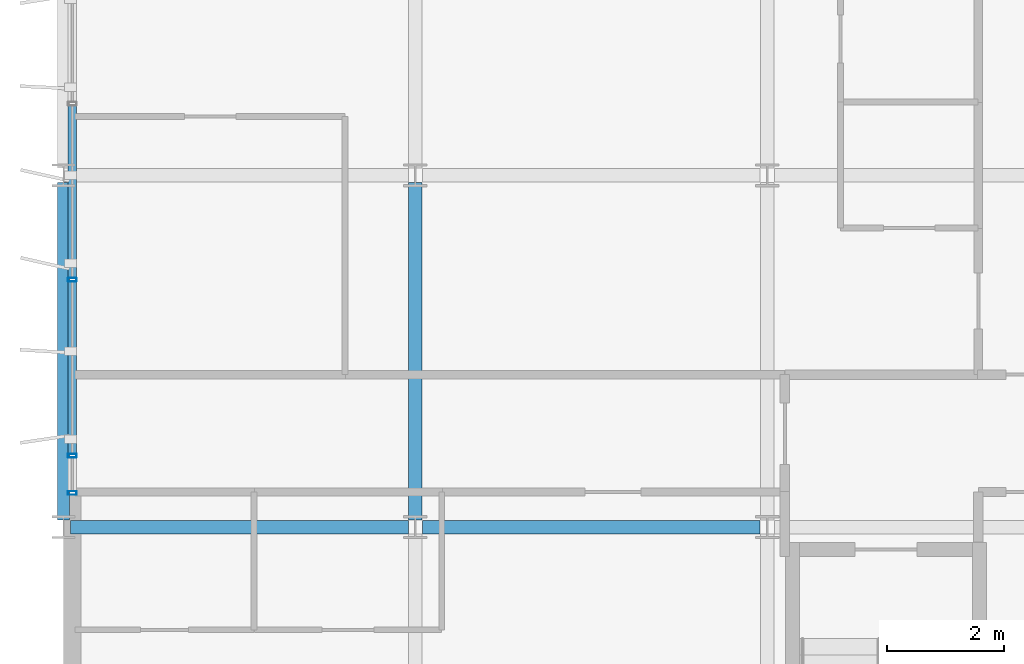
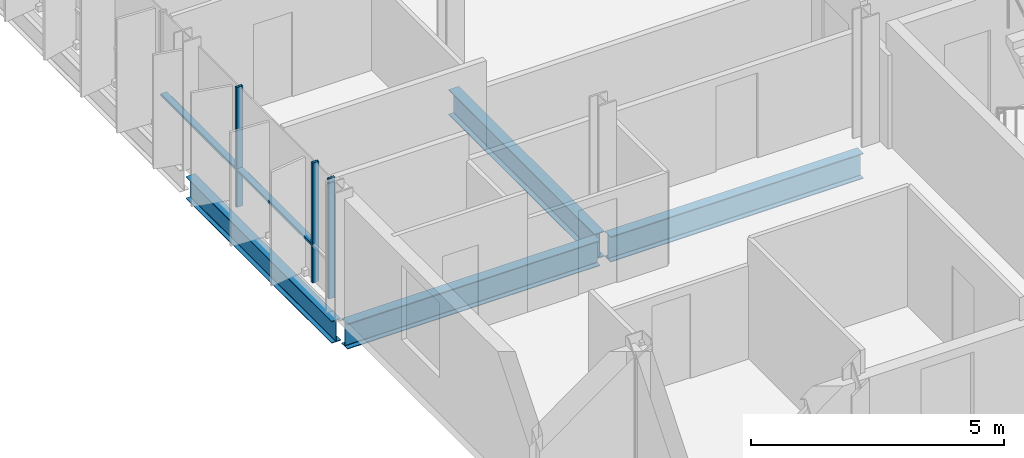
# One storey, part 3 of 38: 5 members, 4 beams, 1 element without a shape of its own.
"""IFC4 building model written with IfcOpenShell, lengths in metres."""

from ifc_helpers import new_model, si_unit, direction, frame, origin, origin_2d, place, context, subcontext, project, spatial, hollow_rectangle, i_section, extrude, material, layer, layer_set, material_profile, profile_set, type_object, element, aggregate, save


model = new_model("IFC4")

# Units and contexts
model_context = context("Model", 3, precision=1e-05, world=origin(), true_north=direction((0.0, 1.0)))
body_context = subcontext(model_context, "Body", "Model", "MODEL_VIEW")
ifc_project = project(units=[si_unit("LENGTHUNIT", "METRE"), si_unit("AREAUNIT", "SQUARE_METRE"), si_unit("VOLUMEUNIT", "CUBIC_METRE"), si_unit("PLANEANGLEUNIT", "RADIAN"), si_unit("MASSUNIT", "GRAM", prefix="KILO")], contexts=[model_context])

# Site, building, storey
site_placement = place(None, origin())
site = spatial("IfcSite", under=ifc_project, at=site_placement, CompositionType="ELEMENT")
building_placement = place(site_placement, origin())
building = spatial("IfcBuilding", under=site, at=building_placement, Name="Brevholm Reach", CompositionType="ELEMENT")
storey_placement = place(building_placement, frame((0.0, 0.0, 172.800048828125)))
storey = spatial("IfcBuildingStorey", under=building, at=storey_placement, Name="L52", CompositionType="ELEMENT", Elevation=172.800048828125)

# Beams
ifc_material_1 = material(Name="Structural Steel S355J2", Category="steel")
ifc_material_profile_1 = material_profile(ifc_material_1, i_section(OverallWidth=0.209228515625, OverallDepth=0.533203125, WebThickness=0.010009765625, FlangeThickness=0.015625, FilletRadius=0.0126953125, at=origin_2d()), Name="UKB 533x210x92")
ifc_profile_set_1 = profile_set([ifc_material_profile_1], Name="Structural Steel S355J2")
beam_type_1 = type_object("IfcBeamType", Name="BM-SP533", PredefinedType="SPANDREL", material=ifc_profile_set_1)
beam_placement = place(storey_placement, frame((0.0, 10.1201171875, -0.4765625), z_axis=(0.0, 1.0, 0.0), x_axis=(-1.0, 0.0, 0.0)))
element("IfcBeam", 1, at=beam_placement, inside=storey, type_object=beam_type_1, Name="L52 SP-02 Framing Beam", PredefinedType="SPANDREL", context=body_context, shape_type="SweptSolid", body=[
    extrude(i_section(OverallWidth=0.209228515625, OverallDepth=0.533203125, WebThickness=0.010009765625, FlangeThickness=0.015625, FilletRadius=0.0126953125, at=origin_2d()), origin(), (0.0, 0.0, 1.0), 5.759765625),
])
ifc_material_2 = material(Name="Structural Steel S355J2", Category="steel")
ifc_material_profile_2 = material_profile(ifc_material_2, i_section(OverallWidth=0.22900390625, OverallDepth=0.6123046875, WebThickness=0.011962890625, FlangeThickness=0.01953125, FilletRadius=0.0126953125, at=origin_2d()), Name="UKB 610x229x125")
ifc_profile_set_2 = profile_set([ifc_material_profile_2], Name="Structural Steel S355J2")
beam_type_2 = type_object("IfcBeamType", Name="BM-SP610", PredefinedType="SPANDREL", material=ifc_profile_set_2)
for number, where, z_axis, x_axis, name in (
    (2, (0.1201171875, 10.0, -0.51611328125), (1.0, 0.0, 0.0), (0.0, 1.0, 0.0), "L52 SP-01 Framing Beam"),
    (3, (6.1201171875, 10.0, -0.51611328125), (1.0, 0.0, 0.0), (0.0, 1.0, 0.0), "L52 SP-01 Framing Beam"),
    (4, (6.0, 10.1201171875, -0.51611328125), (0.0, 1.0, 0.0), (-1.0, 0.0, 0.0), "L52 SP-01 Framing Beam"),
):
    element("IfcBeam", number, at=place(storey_placement, frame(where, z_axis=z_axis, x_axis=x_axis)), inside=storey, type_object=beam_type_2, Name=name, PredefinedType="SPANDREL", context=body_context, shape_type="SweptSolid", body=[
        extrude(i_section(OverallWidth=0.22900390625, OverallDepth=0.6123046875, WebThickness=0.011962890625, FlangeThickness=0.01953125, FilletRadius=0.0126953125, at=origin_2d()), origin(), (0.0, 0.0, 1.0), 5.759765625),
    ])

# Curtain wall, members
ifc_material_3 = material(Name="Dark Anodised Aluminium 6063-T6 and Solar-Control Glass", Category="aluminium")
ifc_layer = layer(ifc_material_3, 0.14990234375)
ifc_layer_set = layer_set([ifc_layer], Name="Dark Anodised Aluminium 6063-T6 and Solar-Control Glass")
curtain_wall_type = type_object("IfcCurtainWallType", Name="CW-01", PredefinedType="NOTDEFINED", material=ifc_layer_set)
curtain_wall_placement = place(storey_placement, origin())
curtain_wall = element("IfcCurtainWall", 5, at=curtain_wall_placement, inside=storey, type_object=curtain_wall_type, Name="L52 Curtain Wall CW-01", PredefinedType="NOTDEFINED")
ifc_material_4 = material(Name="Dark Anodised Aluminium 6063-T6", Category="aluminium")
ifc_material_profile_3 = material_profile(ifc_material_4, hollow_rectangle(XDim=0.06494140625, YDim=0.14990234375, WallThickness=0.0048828125, InnerFilletRadius=0.0048828125, OuterFilletRadius=0.010009765625, at=origin_2d()), Name="RHS 150x65x5")
ifc_profile_set_3 = profile_set([ifc_material_profile_3], Name="Dark Anodised Aluminium 6063-T6")
member_type_1 = type_object("IfcMemberType", Name="CWM-150", PredefinedType="MULLION", material=ifc_profile_set_3)
member_1_placement = place(storey_placement, frame((0.14990234375, 14.219970703125, 0.0), z_axis=(0.0, 0.0, 1.0), x_axis=(0.0, -1.0, 0.0)))
member_1 = element("IfcMember", 6, at=member_1_placement, type_object=member_type_1, Name="CM-150 Mullion 4", PredefinedType="MULLION", context=body_context, shape_type="SweptSolid", body=[
    extrude(hollow_rectangle(XDim=0.06494140625, YDim=0.14990234375, WallThickness=0.0048828125, InnerFilletRadius=0.0048828125, OuterFilletRadius=0.010009765625, at=origin_2d()), origin(), (0.0, 0.0, 1.0), 2.889892578125),
])
member_2_placement = place(storey_placement, frame((0.14990234375, 11.219970703125, 0.0), z_axis=(0.0, 0.0, 1.0), x_axis=(0.0, -1.0, 0.0)))
member_2 = element("IfcMember", 7, at=member_2_placement, type_object=member_type_1, Name="CM-150 Mullion 5", PredefinedType="MULLION", context=body_context, shape_type="SweptSolid", body=[
    extrude(hollow_rectangle(XDim=0.06494140625, YDim=0.14990234375, WallThickness=0.0048828125, InnerFilletRadius=0.0048828125, OuterFilletRadius=0.010009765625, at=origin_2d()), origin(), (0.0, 0.0, 1.0), 2.889892578125),
])
member_3_placement = place(storey_placement, frame((0.14990234375, 10.58251953125, 0.0), z_axis=(0.0, 0.0, 1.0), x_axis=(0.0, -1.0, 0.0)))
member_3 = element("IfcMember", 8, at=member_3_placement, type_object=member_type_1, Name="CM-150 Mullion 6", PredefinedType="MULLION", context=body_context, shape_type="SweptSolid", body=[
    extrude(hollow_rectangle(XDim=0.06494140625, YDim=0.14990234375, WallThickness=0.0048828125, InnerFilletRadius=0.0048828125, OuterFilletRadius=0.010009765625, at=origin_2d()), origin(), (0.0, 0.0, 1.0), 2.889892578125),
])
ifc_material_5 = material(Name="Dark Anodised Aluminium 6063-T6", Category="aluminium")
ifc_material_profile_4 = material_profile(ifc_material_5, hollow_rectangle(XDim=0.06494140625, YDim=0.14990234375, WallThickness=0.0048828125, InnerFilletRadius=0.0048828125, OuterFilletRadius=0.010009765625, at=origin_2d()), Name="RHS 150x65x5")
ifc_profile_set_4 = profile_set([ifc_material_profile_4], Name="Dark Anodised Aluminium 6063-T6")
member_type_2 = type_object("IfcMemberType", Name="CWT-150", PredefinedType="NOTDEFINED", material=ifc_profile_set_4)
member_4_placement = place(storey_placement, frame((0.14990234375, 17.1875, 0.89990234375), z_axis=(0.0, -1.0, 0.0), x_axis=(0.0, 0.0, 1.0)))
member_4 = element("IfcMember", 9, at=member_4_placement, type_object=member_type_2, Name="CT-150 Transom 3.1", ObjectType="TRANSOM", PredefinedType="USERDEFINED", context=body_context, shape_type="SweptSolid", body=[
    extrude(hollow_rectangle(XDim=0.06494140625, YDim=0.14990234375, WallThickness=0.0048828125, InnerFilletRadius=0.0048828125, OuterFilletRadius=0.010009765625, at=origin_2d()), origin(), (0.0, 0.0, 1.0), 2.93505859375),
])
member_5_placement = place(storey_placement, frame((0.14990234375, 14.1875, 0.89990234375), z_axis=(0.0, -1.0, 0.0), x_axis=(0.0, 0.0, 1.0)))
member_5 = element("IfcMember", 10, at=member_5_placement, type_object=member_type_2, Name="CT-150 Transom 4.1", ObjectType="TRANSOM", PredefinedType="USERDEFINED", context=body_context, shape_type="SweptSolid", body=[
    extrude(hollow_rectangle(XDim=0.06494140625, YDim=0.14990234375, WallThickness=0.0048828125, InnerFilletRadius=0.0048828125, OuterFilletRadius=0.010009765625, at=origin_2d()), origin(), (0.0, 0.0, 1.0), 2.93505859375),
])
aggregate(curtain_wall, [member_1, member_2, member_3, member_4, member_5])

save(model, "model.ifc")
